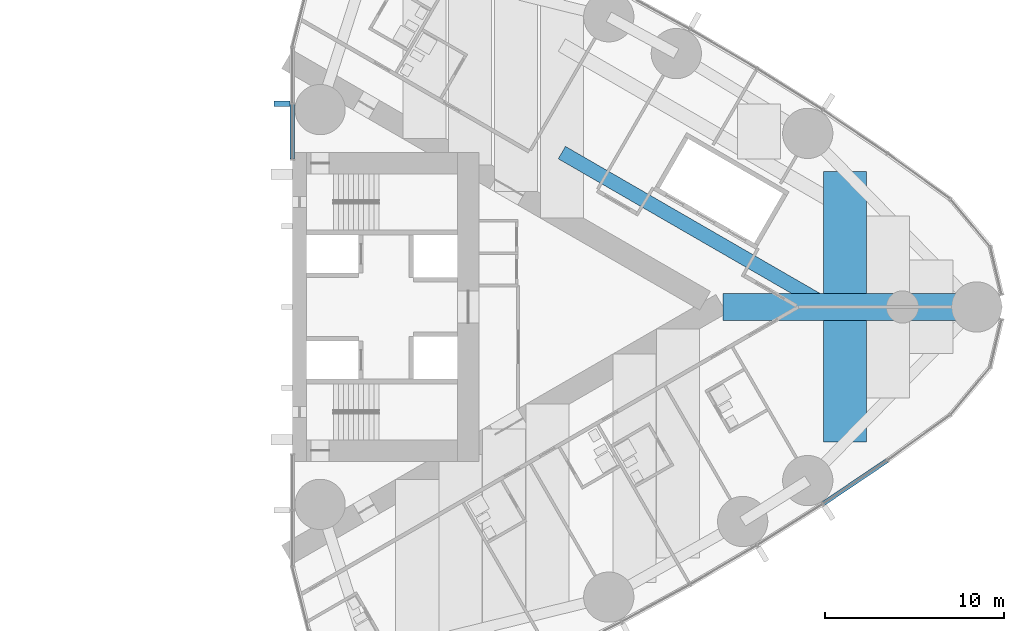
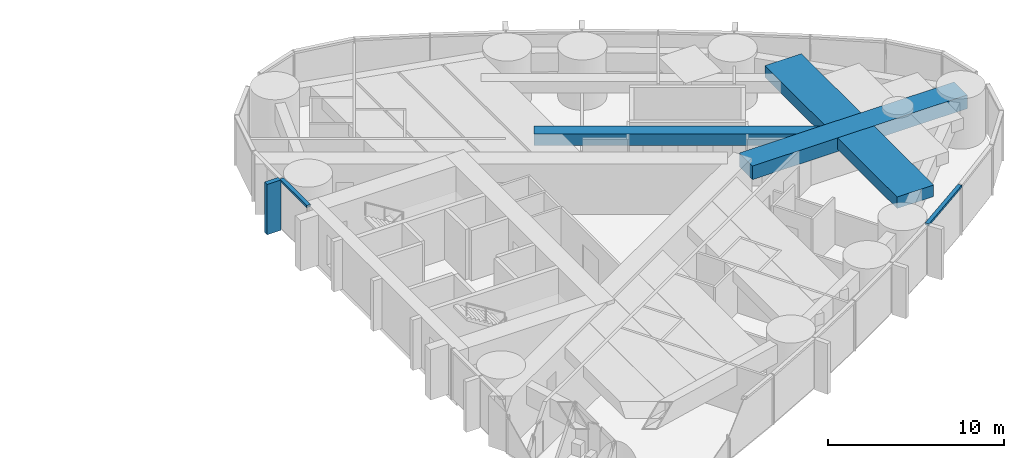
# One storey, part 7 of 19: 4 beams, 3 members, 2 elements without a shape of their own.
"""IFC4 building model written with IfcOpenShell, lengths in metres."""

from ifc_helpers import new_model, si_unit, direction, frame, origin, origin_2d, place, context, subcontext, project, spatial, rectangle, hollow_rectangle, extrude, material, material_profile, profile_set, type_object, element, aggregate, save


model = new_model("IFC4")

# Units and contexts
model_context = context("Model", 3, precision=1e-05, world=origin(), true_north=direction((0.0, 1.0)))
body_context = subcontext(model_context, "Body", "Model", "MODEL_VIEW")
ifc_project = project(units=[si_unit("LENGTHUNIT", "METRE"), si_unit("AREAUNIT", "SQUARE_METRE"), si_unit("VOLUMEUNIT", "CUBIC_METRE"), si_unit("PLANEANGLEUNIT", "RADIAN"), si_unit("MASSUNIT", "GRAM", prefix="KILO")], contexts=[model_context])

# Site, building, storey
site_placement = place(None, origin())
site = spatial("IfcSite", under=ifc_project, at=site_placement, CompositionType="ELEMENT")
building_placement = place(site_placement, origin())
building = spatial("IfcBuilding", under=site, at=building_placement, Name="Lancet Gate Hotel", CompositionType="ELEMENT")
storey_placement = place(building_placement, frame((0.0, 0.0, 198.300048828125)))
storey = spatial("IfcBuildingStorey", under=building, at=storey_placement, Name="L53", CompositionType="ELEMENT", Elevation=198.300048828125)

# Curtain wall, member
ifc_material_1 = material(Name="Aluminium curtain wall", Category="aluminium")
curtain_wall_type = type_object("IfcCurtainWallType", Name="Tower unitised curtain wall", PredefinedType="USERDEFINED", material=ifc_material_1)
curtain_wall_1_placement = place(storey_placement, origin())
curtain_wall_1 = element("IfcCurtainWall", 1, at=curtain_wall_1_placement, inside=storey, type_object=curtain_wall_type, Name="T2 L53 curtain wall 2", ObjectType="UNITISED CURTAIN WALL", PredefinedType="USERDEFINED")
ifc_material_2 = material(Name="Aluminium transom", Category="aluminium")
ifc_material_profile_1 = material_profile(ifc_material_2, rectangle(XDim=0.25, YDim=0.14990234375, at=origin_2d()), Name="TRANSOM 250x150")
ifc_profile_set_1 = profile_set([ifc_material_profile_1], Name="Aluminium transom")
member_type_1 = type_object("IfcMemberType", Name="Aluminium transom 250x150", PredefinedType="USERDEFINED", material=ifc_profile_set_1)
member_1_placement = place(storey_placement, frame((57.093994140625, -10.952880859375, 3.425048828125), z_axis=(0.829046850689, 0.559179147826, 0.0), x_axis=(-0.559179147826, 0.829046850689, 0.0)))
member_1 = element("IfcMember", 2, at=member_1_placement, type_object=member_type_1, Name="T2 L53 curtain wall 2 transom 8", ObjectType="TRANSOM", PredefinedType="USERDEFINED", context=body_context, shape_type="SweptSolid", body=[
    extrude(rectangle(XDim=0.25, YDim=0.14990234375, at=origin_2d()), origin(), (0.0, 0.0, 1.0), 4.26904296875),
])
aggregate(curtain_wall_1, [member_1])

# Curtain wall, members
curtain_wall_2_placement = place(storey_placement, origin())
curtain_wall_2 = element("IfcCurtainWall", 3, at=curtain_wall_2_placement, inside=storey, type_object=curtain_wall_type, Name="T2 L53 curtain wall 4", ObjectType="UNITISED CURTAIN WALL", PredefinedType="USERDEFINED")
member_2_placement = place(storey_placement, frame((27.5, 11.30029296875, 3.425048828125), z_axis=(0.0, -1.0, 0.0), x_axis=(1.0, 0.0, 0.0)))
member_2 = element("IfcMember", 4, at=member_2_placement, type_object=member_type_1, Name="T2 L53 curtain wall 4 transom 4", ObjectType="TRANSOM", PredefinedType="USERDEFINED", context=body_context, shape_type="SweptSolid", body=[
    extrude(rectangle(XDim=0.25, YDim=0.14990234375, at=origin_2d()), origin(), (0.0, 0.0, 1.0), 3.06787109375),
])
ifc_material_3 = material(Name="Precast concrete C50/60", Category="concrete")
ifc_material_profile_2 = material_profile(ifc_material_3, rectangle(XDim=0.300048828125, YDim=0.89990234375, at=origin_2d()), Name="FIN 300x900")
ifc_profile_set_2 = profile_set([ifc_material_profile_2], Name="Precast concrete C50/60")
member_type_2 = type_object("IfcMemberType", Name="Exposed concrete fin 300x900", PredefinedType="USERDEFINED", material=ifc_profile_set_2)
member_3_placement = place(storey_placement, frame((26.925048828125, 11.332763671875, 0.0), z_axis=(0.0, 0.0, 1.0), x_axis=(0.0, -1.0, 0.0)))
member_3 = element("IfcMember", 5, at=member_3_placement, type_object=member_type_2, Name="T2 L53 curtain wall 4 fin 4", ObjectType="FIN", PredefinedType="USERDEFINED", context=body_context, shape_type="SweptSolid", body=[
    extrude(rectangle(XDim=0.300048828125, YDim=0.89990234375, at=origin_2d()), origin(), (0.0, 0.0, 1.0), 3.5),
])
aggregate(curtain_wall_2, [member_3, member_2])

# Beams
ifc_material_4 = material(Name="Concrete C50/60", Category="concrete")
ifc_material_profile_3 = material_profile(ifc_material_4, rectangle(XDim=2.39990234375, YDim=0.800048828125, at=origin_2d()), Name="RC 2400x800")
ifc_profile_set_3 = profile_set([ifc_material_profile_3], Name="Concrete C50/60")
beam_type_1 = type_object("IfcBeamType", Name="Floor beam RC 2400x800", PredefinedType="BEAM", material=ifc_profile_set_3)
for number, where, z_axis, x_axis, name in (
    (6, (58.30224609375, -7.534912109375, 2.849853515625), (0.0, 1.0, 0.0), (-1.0, 0.0, 0.0), "T2 floor beam F12S L53"),
    (7, (58.30224609375, 0.75, 2.849853515625), (0.0, 1.0, 0.0), (-1.0, 0.0, 0.0), "T2 floor beam F13N L53"),
):
    element("IfcBeam", number, at=place(storey_placement, frame(where, z_axis=z_axis, x_axis=x_axis)), inside=storey, type_object=beam_type_1, Name=name, PredefinedType="BEAM", context=body_context, shape_type="SweptSolid", body=[
        extrude(rectangle(XDim=2.39990234375, YDim=0.800048828125, at=origin_2d()), origin(), (0.0, 0.0, 1.0), 6.784912109375),
    ])
ifc_material_5 = material(Name="Concrete C50/60", Category="concrete")
ifc_material_profile_4 = material_profile(ifc_material_5, rectangle(XDim=1.5, YDim=0.949951171875, at=origin_2d()), Name="RC 1500x950")
ifc_profile_set_4 = profile_set([ifc_material_profile_4], Name="Concrete C50/60")
beam_type_2 = type_object("IfcBeamType", Name="Radial floor beam RC 1500x950", PredefinedType="BEAM", material=ifc_profile_set_4)
beam_1_placement = place(storey_placement, frame((65.6396484375, 0.0, 2.77490234375), z_axis=(-1.0, 0.0, 0.0), x_axis=(0.0, -1.0, 0.0)))
element("IfcBeam", 8, at=beam_1_placement, inside=storey, type_object=beam_type_2, Name="T2 radial beam CA L53", PredefinedType="BEAM", context=body_context, shape_type="SweptSolid", body=[
    extrude(rectangle(XDim=1.5, YDim=0.949951171875, at=origin_2d()), origin(), (0.0, 0.0, 1.0), 14.137451171875),
])
ifc_material_6 = material(Name="Steel S460QL", Category="steel")
ifc_material_profile_5 = material_profile(ifc_material_6, hollow_rectangle(XDim=0.800048828125, YDim=0.800048828125, WallThickness=0.080078125, at=origin_2d()), Name="BOX 800x800x80")
ifc_profile_set_5 = profile_set([ifc_material_profile_5], Name="Steel S460QL")
beam_type_3 = type_object("IfcBeamType", Name="Trimmer beam BOX 800x800x80", PredefinedType="BEAM", material=ifc_profile_set_5)
beam_2_placement = place(storey_placement, frame((42.51904296875, 8.601806640625, 2.849853515625), z_axis=(0.865995788838, -0.500051291085, 0.0), x_axis=(0.500051291085, 0.865995788838, 0.0)))
element("IfcBeam", 9, at=beam_2_placement, inside=storey, type_object=beam_type_3, Name="T2 trimmer beam TR01N L53", PredefinedType="BEAM", context=body_context, shape_type="SweptSolid", body=[
    extrude(hollow_rectangle(XDim=0.800048828125, YDim=0.800048828125, WallThickness=0.080078125, at=origin_2d()), origin(), (0.0, 0.0, 1.0), 17.201904296875),
])

save(model, "model.ifc")
